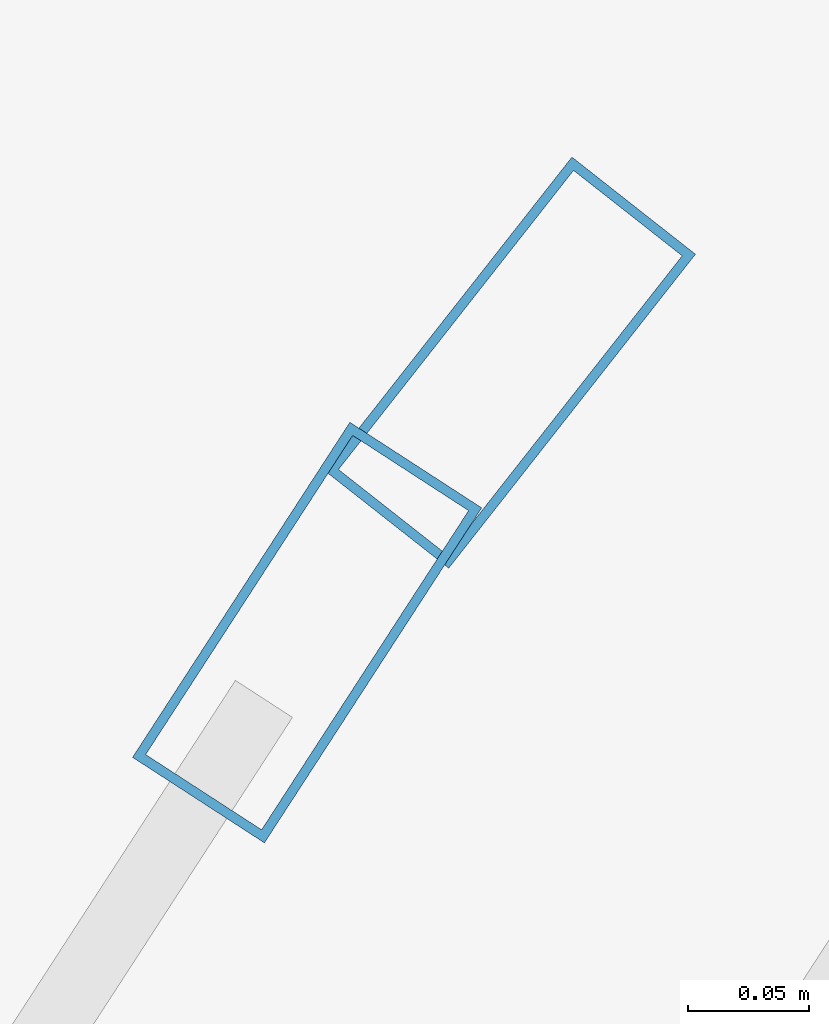
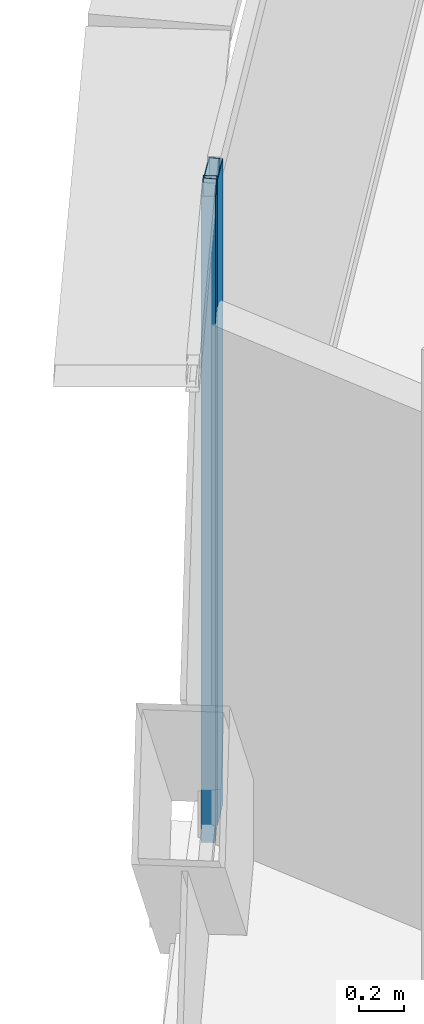
# One storey, part 16 of 39: 2 members, 2 elements without a shape of their own.
"""IFC4 building model written with IfcOpenShell, lengths in metres."""

from ifc_helpers import new_model, si_unit, direction, frame, origin, origin_2d, place, context, subcontext, project, spatial, hollow_rectangle, extrude, source, transform, mapped, material, layer, layer_set, material_profile, profile_set, type_object, element, aggregate, save


model = new_model("IFC4")

# Units and contexts
model_context = context("Model", 3, precision=1e-05, world=origin(), true_north=direction((0.0, 1.0)))
body_context = subcontext(model_context, "Body", "Model", "MODEL_VIEW")
ifc_project = project(units=[si_unit("LENGTHUNIT", "METRE"), si_unit("AREAUNIT", "SQUARE_METRE"), si_unit("VOLUMEUNIT", "CUBIC_METRE"), si_unit("PLANEANGLEUNIT", "RADIAN"), si_unit("MASSUNIT", "GRAM", prefix="KILO"), si_unit("THERMODYNAMICTEMPERATUREUNIT", "KELVIN"), si_unit("POWERUNIT", "WATT")], contexts=[model_context])

# Site, building, storey
site_placement = place(None, origin())
site = spatial("IfcSite", under=ifc_project, at=site_placement, CompositionType="ELEMENT")
building_placement = place(site_placement, origin())
building = spatial("IfcBuilding", under=site, at=building_placement, Name="Yunzhuo Pagoda Commons", CompositionType="ELEMENT")
storey_placement = place(building_placement, frame((0.0, 0.0, 96.3798828125)))
storey = spatial("IfcBuildingStorey", under=building, at=storey_placement, Name="L24", CompositionType="ELEMENT", Elevation=96.3798828125)

# Curtain wall, member
ifc_material = material(Name="Anodized aluminium 6063-T6", Category="aluminium")
ifc_layer = layer(ifc_material, 0.1650390625)
ifc_layer_set = layer_set([ifc_layer], Name="Anodized aluminium 6063-T6")
curtain_wall_type = type_object("IfcCurtainWallType", Name="CW-LOW Low-Zone Ribbon Curtain Wall", PredefinedType="NOTDEFINED", material=ifc_layer_set)
curtain_wall_1_placement = place(storey_placement, origin())
curtain_wall_1 = element("IfcCurtainWall", 1, at=curtain_wall_1_placement, inside=storey, type_object=curtain_wall_type, Name="L24 curtain wall CW-L24-F3B2", PredefinedType="NOTDEFINED")
ifc_material_profile = material_profile(ifc_material, hollow_rectangle(XDim=0.06494140625, YDim=0.1650390625, WallThickness=0.00390625, at=origin_2d()), Name="Anodized aluminium 6063-T6")
ifc_profile_set = profile_set([ifc_material_profile], Name="Anodized aluminium 6063-T6")
member_type = type_object("IfcMemberType", Name="CW-LOW-M Mullion RHS 165x65x4", PredefinedType="MULLION", material=ifc_profile_set)
shared_shape = source(origin(), body_context, "Body", "SweptSolid", [
    extrude(hollow_rectangle(XDim=0.06494140625, YDim=0.1650390625, WallThickness=0.00390625, at=origin_2d()), origin(), (0.0, 0.0, 1.0), 3.5400390625),
])
member_1_placement = place(storey_placement, frame((31.212158203125, 71.339599609375, 0.0), z_axis=(0.0, 0.0, 1.0), x_axis=(0.838972259493, -0.544174188841, 0.0)))
member_1 = element("IfcMember", 2, at=member_1_placement, type_object=member_type, Name="CW mullion 1", PredefinedType="MULLION", context=body_context, shape_type="MappedRepresentation", body=[
    mapped(shared_shape, transform((0.0, 0.0, 0.0), scale=1.0)),
])
aggregate(curtain_wall_1, [member_1])

curtain_wall_2_placement = place(storey_placement, origin())
curtain_wall_2 = element("IfcCurtainWall", 3, at=curtain_wall_2_placement, inside=storey, type_object=curtain_wall_type, Name="L24 curtain wall CW-L24-F3B1", PredefinedType="NOTDEFINED")
member_2_placement = place(storey_placement, frame((31.296142578125, 71.451171875, 0.0), z_axis=(0.0, 0.0, 1.0), x_axis=(0.786214870416, -0.617953216301, 0.0)))
member_2 = element("IfcMember", 4, at=member_2_placement, type_object=member_type, Name="CW mullion 2", PredefinedType="MULLION", context=body_context, shape_type="MappedRepresentation", body=[
    mapped(shared_shape, transform((0.0, 0.0, 0.0), scale=1.0)),
])
aggregate(curtain_wall_2, [member_2])

save(model, "model.ifc")
